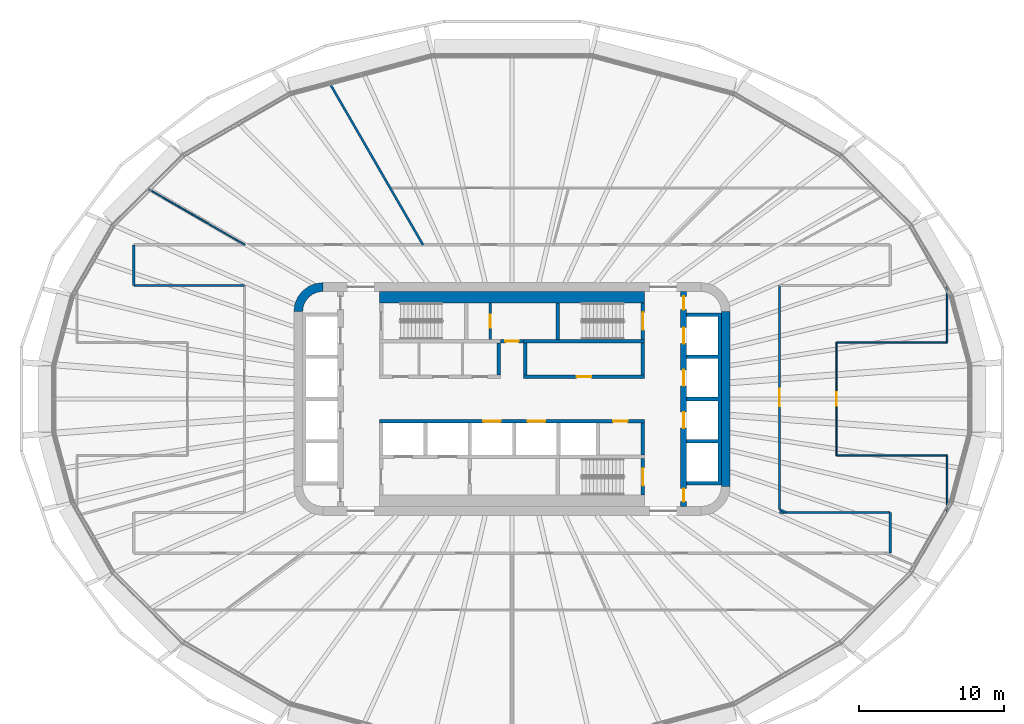
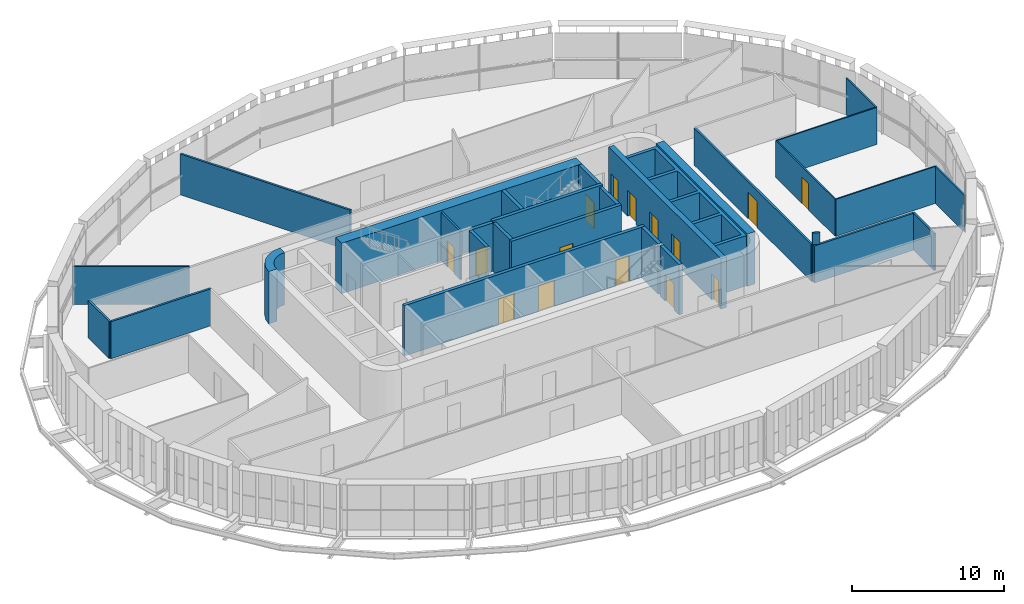
# One storey, part 16 of 25: 30 walls, 15 doors, 15 openings.
"""IFC4 building model written with IfcOpenShell, lengths in metres."""

from ifc_helpers import new_model, si_unit, direction, frame, frame_2d, origin, place, context, subcontext, project, spatial, polyline, rectangle, outline, extrude, material, layer, layer_set, type_object, element, fill, save


model = new_model("IFC4")

# Units and contexts
model_context = context("Model", 3, precision=1e-05, world=origin(), true_north=direction((0.0, 1.0)))
body_context = subcontext(model_context, "Body", "Model", "MODEL_VIEW")
ifc_project = project(units=[si_unit("LENGTHUNIT", "METRE"), si_unit("AREAUNIT", "SQUARE_METRE"), si_unit("VOLUMEUNIT", "CUBIC_METRE"), si_unit("PLANEANGLEUNIT", "RADIAN"), si_unit("MASSUNIT", "GRAM", prefix="KILO")], contexts=[model_context])

# Site, building, storey
site_placement = place(None, origin())
site = spatial("IfcSite", under=ifc_project, at=site_placement, CompositionType="ELEMENT")
building_placement = place(site_placement, origin())
building = spatial("IfcBuilding", under=site, at=building_placement, Name="Sahrelin Media Tower", CompositionType="ELEMENT")
storey_placement = place(building_placement, frame((0.0, 0.0, 139.800048828125)))
storey = spatial("IfcBuildingStorey", under=building, at=storey_placement, Name="L28", CompositionType="ELEMENT", Elevation=139.800048828125)

# Walls
ifc_material_1 = material(Name="Concrete C60/75", Category="concrete")
ifc_layer_1 = layer(ifc_material_1, 0.60009765625)
ifc_layer_set_1 = layer_set([ifc_layer_1], Name="Core wall 600")
wall_type_1 = type_object("IfcWallType", Name="Core wall 600", PredefinedType="SHEAR", material=ifc_layer_set_1)
wall_1_placement = place(storey_placement, frame((14.699951171875, -6.0, 0.0), z_axis=(0.0, 0.0, 1.0), x_axis=(0.0, 1.0, 0.0)))
element("IfcWall", 1, at=wall_1_placement, inside=storey, type_object=wall_type_1, Name="Core wall E L28", PredefinedType="SHEAR", context=body_context, shape_type="SweptSolid", body=[
    extrude(rectangle(XDim=12.0, YDim=0.60009765625, at=frame_2d((6.0, 0.0))), origin(), (0.0, 0.0, 1.0), 4.199951171875),
])
placement = place(storey_placement, origin())
element("IfcWall", 2, at=placement, inside=storey, type_object=wall_type_1, Name="Core wall corner NW L28", PredefinedType="SHEAR", context=body_context, shape_type="SweptSolid", body=[
    extrude(outline(polyline([(-15.0, 6.0), (-14.394775390625, 6.0), (-14.347412109375, 6.361083984375), (-14.2080078125, 6.697509765625), (-13.986328125, 6.986328125), (-13.697509765625, 7.2080078125), (-13.361083984375, 7.347412109375), (-13.0, 7.394775390625), (-13.0, 8.0), (-13.517578125, 7.931884765625), (-14.0, 7.732177734375), (-14.414306640625, 7.414306640625), (-14.732177734375, 7.0), (-14.931884765625, 6.517578125), (-15.0, 6.0)])), origin(), (0.0, 0.0, 1.0), 4.199951171875),
])

# Wall, opening, door
ifc_material_2 = material(Name="Fire-rated gypsum board partition")
ifc_layer_2 = layer(ifc_material_2, 0.25)
ifc_layer_set_2 = layer_set([ifc_layer_2], Name="Fire-rated lobby wall 250")
wall_type_2 = type_object("IfcWallType", Name="Fire-rated lobby wall 250", PredefinedType="PARTITIONING", material=ifc_layer_set_2)
wall_3_placement = place(storey_placement, frame((-0.77490234375, 3.97509765625, 0.0), z_axis=(0.0, 0.0, 1.0), x_axis=(1.0, 0.0, 0.0)))
wall_3 = element("IfcWall", 3, at=wall_3_placement, inside=storey, type_object=wall_type_2, Name="Core lobby wall", PredefinedType="PARTITIONING", context=body_context, shape_type="SweptSolid", body=[
    extrude(rectangle(XDim=1.5498046875, YDim=0.25, at=frame_2d((0.77490234375, 0.0))), origin(), (0.0, 0.0, 1.0), 3.89990234375),
])
opening_1_placement = place(wall_3_placement, frame((0.324951171875, 0.0, 0.0)))
opening_1 = element("IfcOpeningElement", 4, at=opening_1_placement, cuts=wall_3, Name="Opening L28-D06", PredefinedType="OPENING", context=body_context, shape_type="SweptSolid", body=[
    extrude(rectangle(XDim=0.89990234375, YDim=2.10009765625, at=frame_2d((0.449951171875, 1.050048828125))), frame((0.0, 0.125, 0.0), z_axis=(0.0, -1.0, 0.0), x_axis=(1.0, 0.0, 0.0)), (0.0, 0.0, 1.0), 0.25),
])
ifc_material_3 = material(Name="Steel fire door leaf", Category="steel")
door_type_1 = type_object("IfcDoorType", Name="Riser door 900 x 2100 EI 120", OperationType="NOTDEFINED", PredefinedType="DOOR", material=ifc_material_3)
door_1_placement = place(opening_1_placement, origin())
door_1 = element("IfcDoor", 5, at=door_1_placement, inside=storey, type_object=door_type_1, Name="Core room door", OperationType="SINGLE_SWING_LEFT", OverallHeight=2.10009765625, OverallWidth=0.89990234375, PredefinedType="DOOR", context=body_context, shape_type="SweptSolid", body=[
    extrude(rectangle(XDim=0.89990234375, YDim=2.10009765625, at=frame_2d((0.449951171875, 1.050048828125))), frame((0.0, 0.02490234375, 0.0), z_axis=(0.0, -1.0, 0.0), x_axis=(1.0, 0.0, 0.0)), (0.0, 0.0, 1.0), 0.050048828125),
])
fill(opening_1, door_1)

wall_4_placement = place(storey_placement, frame((0.77490234375, 1.52490234375, 0.0), z_axis=(0.0, 0.0, 1.0), x_axis=(1.0, 0.0, 0.0)))
wall_4 = element("IfcWall", 6, at=wall_4_placement, inside=storey, type_object=wall_type_2, Name="Core lobby wall", PredefinedType="PARTITIONING", context=body_context, shape_type="SweptSolid", body=[
    extrude(rectangle(XDim=8.35009765625, YDim=0.25, at=frame_2d((4.175048828125, 0.0))), origin(), (0.0, 0.0, 1.0), 3.89990234375),
])
opening_2_placement = place(wall_4_placement, frame((3.675048828125, 0.0, 0.0)))
opening_2 = element("IfcOpeningElement", 7, at=opening_2_placement, cuts=wall_4, Name="Opening L28-D11", PredefinedType="OPENING", context=body_context, shape_type="SweptSolid", body=[
    extrude(rectangle(XDim=1.0, YDim=2.10009765625, at=frame_2d((0.5, 1.050048828125))), frame((0.0, 0.125, 0.0), z_axis=(0.0, -1.0, 0.0), x_axis=(1.0, 0.0, 0.0)), (0.0, 0.0, 1.0), 0.25),
])
door_type_2 = type_object("IfcDoorType", Name="Fire door 1000 x 2100 EI 60", OperationType="NOTDEFINED", PredefinedType="DOOR", material=ifc_material_3)
door_2_placement = place(opening_2_placement, origin())
door_2 = element("IfcDoor", 8, at=door_2_placement, inside=storey, type_object=door_type_2, Name="Core room door", OperationType="SINGLE_SWING_LEFT", OverallHeight=2.10009765625, OverallWidth=1.0, PredefinedType="DOOR", context=body_context, shape_type="SweptSolid", body=[
    extrude(rectangle(XDim=1.0, YDim=2.10009765625, at=frame_2d((0.5, 1.050048828125))), frame((0.0, 0.02490234375, 0.0), z_axis=(0.0, -1.0, 0.0), x_axis=(1.0, 0.0, 0.0)), (0.0, 0.0, 1.0), 0.050048828125),
])
fill(opening_2, door_2)

# Walls
for number, where, z_axis, x_axis, name in (
    (9, (-0.89990234375, 1.64990234375, 0.0), (0.0, 0.0, 1.0), (0.0, 1.0, 0.0), "Core lobby wall"),
    (10, (9.0, 1.64990234375, 0.0), (0.0, 0.0, 1.0), (0.0, 1.0, 0.0), "Core lobby wall"),
    (11, (0.89990234375, 1.64990234375, 0.0), (0.0, 0.0, 1.0), (0.0, 1.0, 0.0), "Core lobby wall"),
):
    element("IfcWall", number, at=place(storey_placement, frame(where, z_axis=z_axis, x_axis=x_axis)), inside=storey, type_object=wall_type_2, Name=name, PredefinedType="PARTITIONING", context=body_context, shape_type="SweptSolid", body=[
        extrude(rectangle(XDim=2.2001953125, YDim=0.25, at=frame_2d((1.10009765625, 0.0))), origin(), (0.0, 0.0, 1.0), 3.89990234375),
    ])

# Wall, opening, door
ifc_layer_3 = layer(ifc_material_2, 0.14990234375)
ifc_layer_set_3 = layer_set([ifc_layer_3], Name="Fire-rated partition 150")
wall_type_3 = type_object("IfcWallType", Name="Fire-rated partition 150", PredefinedType="PARTITIONING", material=ifc_layer_set_3)
wall_5_placement = place(storey_placement, frame((-1.5, 4.10009765625, 0.0), z_axis=(0.0, 0.0, 1.0), x_axis=(0.0, 1.0, 0.0)))
wall_5 = element("IfcWall", 12, at=wall_5_placement, inside=storey, type_object=wall_type_3, Name="Core room fire partition", PredefinedType="PARTITIONING", context=body_context, shape_type="SweptSolid", body=[
    extrude(rectangle(XDim=2.5, YDim=0.14990234375, at=frame_2d((1.25, 0.0))), origin(), (0.0, 0.0, 1.0), 3.89990234375),
])
opening_3_placement = place(wall_5_placement, frame((0.800048828125, 0.0, 0.0)))
opening_3 = element("IfcOpeningElement", 13, at=opening_3_placement, cuts=wall_5, Name="Opening L28-D07", PredefinedType="OPENING", context=body_context, shape_type="SweptSolid", body=[
    extrude(rectangle(XDim=0.89990234375, YDim=2.10009765625, at=frame_2d((0.449951171875, 1.050048828125))), frame((0.0, 0.074951171875, 0.0), z_axis=(0.0, -1.0, 0.0), x_axis=(1.0, 0.0, 0.0)), (0.0, 0.0, 1.0), 0.14990234375),
])
door_type_3 = type_object("IfcDoorType", Name="Fire door 900 x 2100 EI 60", OperationType="NOTDEFINED", PredefinedType="DOOR", material=ifc_material_3)
door_3_placement = place(opening_3_placement, origin())
door_3 = element("IfcDoor", 14, at=door_3_placement, inside=storey, type_object=door_type_3, Name="Core room door", OperationType="SINGLE_SWING_LEFT", OverallHeight=2.10009765625, OverallWidth=0.89990234375, PredefinedType="DOOR", context=body_context, shape_type="SweptSolid", body=[
    extrude(rectangle(XDim=0.89990234375, YDim=2.10009765625, at=frame_2d((0.449951171875, 1.050048828125))), frame((0.0, 0.02490234375, 0.0), z_axis=(0.0, -1.0, 0.0), x_axis=(1.0, 0.0, 0.0)), (0.0, 0.0, 1.0), 0.050048828125),
])
fill(opening_3, door_3)

# Walls
wall_6_placement = place(storey_placement, frame((-12.5810546875, 21.7900390625, 0.0), z_axis=(0.0, 0.0, 1.0), x_axis=(0.500038653944, -0.866003085769, 0.0)))
element("IfcWall", 15, at=wall_6_placement, inside=storey, type_object=wall_type_3, Name="Wall", PredefinedType="PARTITIONING", context=body_context, shape_type="SweptSolid", body=[
    extrude(rectangle(XDim=12.92138671875, YDim=0.14990234375, at=frame_2d((6.460693359375, 0.0))), origin(), (0.0, 0.0, 1.0), 3.27734375),
])
wall_7_placement = place(storey_placement, frame((18.39990234375, -7.60791015625, 0.0), z_axis=(0.0, 0.0, 1.0), x_axis=(0.923666464005, -0.383197420755, 0.0)))
element("IfcWall", 16, at=wall_7_placement, inside=storey, type_object=wall_type_3, Name="Wall", PredefinedType="PARTITIONING", context=body_context, shape_type="SweptSolid", body=[
    extrude(rectangle(XDim=0.50146484375, YDim=0.14990234375, at=frame_2d((0.250732421875, 0.0))), origin(), (0.0, 0.0, 1.0), 3.89990234375),
])
for number, where, z_axis, x_axis, name in (
    (17, (18.39990234375, -7.800048828125, 0.0), (0.0, 0.0, 1.0), (1.0, 0.0, 0.0), "Wall"),
    (18, (-26.0, 7.800048828125, 0.0), (0.0, 0.0, 1.0), (1.0, 0.0, 0.0), "Wall"),
):
    element("IfcWall", number, at=place(storey_placement, frame(where, z_axis=z_axis, x_axis=x_axis)), inside=storey, type_object=wall_type_3, Name=name, PredefinedType="PARTITIONING", context=body_context, shape_type="SweptSolid", body=[
        extrude(rectangle(XDim=7.60009765625, YDim=0.14990234375, at=frame_2d((3.800048828125, 0.0))), origin(), (0.0, 0.0, 1.0), 2.97705078125),
    ])
wall_8_placement = place(storey_placement, frame((26.0, -10.574951171875, 0.0), z_axis=(0.0, 0.0, 1.0), x_axis=(0.0, 1.0, 0.0)))
element("IfcWall", 19, at=wall_8_placement, inside=storey, type_object=wall_type_3, Name="Wall", PredefinedType="PARTITIONING", context=body_context, shape_type="SweptSolid", body=[
    extrude(rectangle(XDim=2.77490234375, YDim=0.14990234375, at=frame_2d((1.387451171875, 0.0))), origin(), (0.0, 0.0, 1.0), 2.97705078125),
])

# Wall, opening, door
wall_9_placement = place(storey_placement, frame((18.39990234375, -7.60791015625, 0.0), z_axis=(0.0, 0.0, 1.0), x_axis=(0.0, 1.0, 0.0)))
wall_9 = element("IfcWall", 20, at=wall_9_placement, inside=storey, type_object=wall_type_3, Name="Wall", PredefinedType="PARTITIONING", context=body_context, shape_type="SweptSolid", body=[
    extrude(rectangle(XDim=15.407958984375, YDim=0.14990234375, at=frame_2d((7.7041015625, 0.0))), origin(), (0.0, 0.0, 1.0), 2.96826171875),
])
opening_4_placement = place(wall_9_placement, frame((7.10400390625, 0.0, 0.0)))
opening_4 = element("IfcOpeningElement", 21, at=opening_4_placement, cuts=wall_9, Name="Opening L28-D22", PredefinedType="OPENING", context=body_context, shape_type="SweptSolid", body=[
    extrude(rectangle(XDim=1.199951171875, YDim=2.10009765625, at=frame_2d((0.60009765625, 1.050048828125))), frame((0.0, 0.074951171875, 0.0), z_axis=(0.0, -1.0, 0.0), x_axis=(1.0, 0.0, 0.0)), (0.0, 0.0, 1.0), 0.14990234375),
])
door_type_4 = type_object("IfcDoorType", Name="Service double door 1200 x 2100 EI 60", OperationType="DOUBLE_DOOR_SINGLE_SWING", PredefinedType="DOOR", material=ifc_material_3)
door_4_placement = place(opening_4_placement, origin())
door_4 = element("IfcDoor", 22, at=door_4_placement, inside=storey, type_object=door_type_4, Name="Service double door", OperationType="DOUBLE_DOOR_SINGLE_SWING", OverallHeight=2.10009765625, OverallWidth=1.199951171875, PredefinedType="DOOR", context=body_context, shape_type="SweptSolid", body=[
    extrude(rectangle(XDim=1.199951171875, YDim=2.10009765625, at=frame_2d((0.60009765625, 1.050048828125))), frame((0.0, 0.02490234375, 0.0), z_axis=(0.0, -1.0, 0.0), x_axis=(1.0, 0.0, 0.0)), (0.0, 0.0, 1.0), 0.050048828125),
])
fill(opening_4, door_4)

# Wall
wall_10_placement = place(storey_placement, frame((-26.0, 7.800048828125, 0.0), z_axis=(0.0, 0.0, 1.0), x_axis=(0.0, 1.0, 0.0)))
element("IfcWall", 23, at=wall_10_placement, inside=storey, type_object=wall_type_3, Name="Wall", PredefinedType="PARTITIONING", context=body_context, shape_type="SweptSolid", body=[
    extrude(rectangle(XDim=2.77490234375, YDim=0.14990234375, at=frame_2d((1.387451171875, 0.0))), origin(), (0.0, 0.0, 1.0), 2.97705078125),
])

# Wall, openings, doors
ifc_layer_4 = layer(ifc_material_1, 0.25)
ifc_layer_set_4 = layer_set([ifc_layer_4], Name="Lift shaft wall 250")
wall_type_4 = type_object("IfcWallType", Name="Lift shaft wall 250", PredefinedType="SOLIDWALL", material=ifc_layer_set_4)
wall_11_placement = place(storey_placement, frame((-9.125, -1.52490234375, 0.0), z_axis=(0.0, 0.0, 1.0), x_axis=(1.0, 0.0, 0.0)))
wall_11 = element("IfcWall", 24, at=wall_11_placement, inside=storey, type_object=wall_type_4, Name="Lift shaft wall", PredefinedType="SOLIDWALL", context=body_context, shape_type="SweptSolid", body=[
    extrude(rectangle(XDim=18.25, YDim=0.25, at=frame_2d((9.125, 0.0))), origin(), (0.0, 0.0, 1.0), 4.050048828125),
])
opening_5_placement = place(wall_11_placement, frame((7.14990234375, 0.0, 0.0)))
opening_5 = element("IfcOpeningElement", 25, at=opening_5_placement, cuts=wall_11, Name="Opening L28-LD-SV1", PredefinedType="OPENING", context=body_context, shape_type="SweptSolid", body=[
    extrude(rectangle(XDim=1.199951171875, YDim=2.10009765625, at=frame_2d((0.60009765625, 1.050048828125))), frame((0.0, 0.125, 0.0), z_axis=(0.0, -1.0, 0.0), x_axis=(1.0, 0.0, 0.0)), (0.0, 0.0, 1.0), 0.25),
])
opening_6_placement = place(wall_11_placement, frame((10.199951171875, 0.0, 0.0)))
opening_6 = element("IfcOpeningElement", 26, at=opening_6_placement, cuts=wall_11, Name="Opening L28-LD-SV2", PredefinedType="OPENING", context=body_context, shape_type="SweptSolid", body=[
    extrude(rectangle(XDim=1.199951171875, YDim=2.10009765625, at=frame_2d((0.60009765625, 1.050048828125))), frame((0.0, 0.125, 0.0), z_axis=(0.0, -1.0, 0.0), x_axis=(1.0, 0.0, 0.0)), (0.0, 0.0, 1.0), 0.25),
])
opening_7_placement = place(wall_11_placement, frame((16.074951171875, 0.0, 0.0)))
opening_7 = element("IfcOpeningElement", 27, at=opening_7_placement, cuts=wall_11, Name="Opening L28-D12", PredefinedType="OPENING", context=body_context, shape_type="SweptSolid", body=[
    extrude(rectangle(XDim=1.0, YDim=2.10009765625, at=frame_2d((0.5, 1.050048828125))), frame((0.0, 0.125, 0.0), z_axis=(0.0, -1.0, 0.0), x_axis=(1.0, 0.0, 0.0)), (0.0, 0.0, 1.0), 0.25),
])
door_5_placement = place(opening_7_placement, origin())
door_5 = element("IfcDoor", 28, at=door_5_placement, inside=storey, type_object=door_type_2, Name="Core room door", OperationType="SINGLE_SWING_RIGHT", OverallHeight=2.10009765625, OverallWidth=1.0, PredefinedType="DOOR", context=body_context, shape_type="SweptSolid", body=[
    extrude(rectangle(XDim=1.0, YDim=2.10009765625, at=frame_2d((0.5, 1.050048828125))), frame((0.0, 0.02490234375, 0.0), z_axis=(0.0, -1.0, 0.0), x_axis=(1.0, 0.0, 0.0)), (0.0, 0.0, 1.0), 0.050048828125),
])
fill(opening_7, door_5)
ifc_material_4 = material(Name="Stainless steel", Category="steel")
door_type_5 = type_object("IfcDoorType", Name="Lift landing door 1200 x 2100 EI 120", OperationType="DOUBLE_DOOR_SLIDING", PredefinedType="DOOR", material=ifc_material_4)
door_6_placement = place(opening_5_placement, origin())
door_6 = element("IfcDoor", 29, at=door_6_placement, inside=storey, type_object=door_type_5, Name="Lift landing door SV1", OperationType="DOUBLE_DOOR_SLIDING", OverallHeight=2.10009765625, OverallWidth=1.199951171875, PredefinedType="DOOR", context=body_context, shape_type="SweptSolid", body=[
    extrude(rectangle(XDim=1.199951171875, YDim=2.10009765625, at=frame_2d((0.60009765625, 1.050048828125))), frame((0.0, 0.02490234375, 0.0), z_axis=(0.0, -1.0, 0.0), x_axis=(1.0, 0.0, 0.0)), (0.0, 0.0, 1.0), 0.050048828125),
])
fill(opening_5, door_6)
door_7_placement = place(opening_6_placement, origin())
door_7 = element("IfcDoor", 30, at=door_7_placement, inside=storey, type_object=door_type_5, Name="Lift landing door SV2", OperationType="DOUBLE_DOOR_SLIDING", OverallHeight=2.10009765625, OverallWidth=1.199951171875, PredefinedType="DOOR", context=body_context, shape_type="SweptSolid", body=[
    extrude(rectangle(XDim=1.199951171875, YDim=2.10009765625, at=frame_2d((0.60009765625, 1.050048828125))), frame((0.0, 0.02490234375, 0.0), z_axis=(0.0, -1.0, 0.0), x_axis=(1.0, 0.0, 0.0)), (0.0, 0.0, 1.0), 0.050048828125),
])
fill(opening_6, door_7)

# Walls
wall_12_placement = place(storey_placement, frame((9.0, -3.85009765625, 0.0), z_axis=(0.0, 0.0, 1.0), x_axis=(0.0, 1.0, 0.0)))
element("IfcWall", 31, at=wall_12_placement, inside=storey, type_object=wall_type_4, Name="Lift shaft wall", PredefinedType="SOLIDWALL", context=body_context, shape_type="SweptSolid", body=[
    extrude(rectangle(XDim=2.2001953125, YDim=0.25, at=frame_2d((1.10009765625, 0.0))), origin(), (0.0, 0.0, 1.0), 4.050048828125),
])
element("IfcWall", 32, at=placement, inside=storey, type_object=wall_type_4, Name="Lift shaft wall", PredefinedType="SOLIDWALL", context=body_context, shape_type="SweptSolid", body=[
    extrude(outline(polyline([(12.0, -5.675048828125), (12.0, -5.925048828125), (14.14990234375, -5.925048828125), (14.39990234375, -5.925048828125), (14.39990234375, -5.675048828125), (14.39990234375, -3.02490234375), (14.39990234375, -2.77490234375), (14.39990234375, -0.125), (14.39990234375, 0.125), (14.39990234375, 2.77490234375), (14.39990234375, 3.02490234375), (14.39990234375, 5.675048828125), (14.39990234375, 5.925048828125), (14.14990234375, 5.925048828125), (12.0, 5.925048828125), (12.0, 5.675048828125), (14.14990234375, 5.675048828125), (14.14990234375, 3.02490234375), (12.0, 3.02490234375), (12.0, 2.77490234375), (14.14990234375, 2.77490234375), (14.14990234375, 0.125), (12.0, 0.125), (12.0, -0.125), (14.14990234375, -0.125), (14.14990234375, -2.77490234375), (12.0, -2.77490234375), (12.0, -3.02490234375), (14.14990234375, -3.02490234375), (14.14990234375, -5.675048828125), (12.0, -5.675048828125)])), origin(), (0.0, 0.0, 1.0), 4.050048828125),
])

# Wall, openings, doors
ifc_layer_5 = layer(ifc_material_1, 0.39990234375)
ifc_layer_set_5 = layer_set([ifc_layer_5], Name="Lift shaft wall 400")
wall_type_5 = type_object("IfcWallType", Name="Lift shaft wall 400", PredefinedType="SOLIDWALL", material=ifc_layer_set_5)
wall_14_placement = place(storey_placement, frame((11.800048828125, -7.39990234375, 0.0), z_axis=(0.0, 0.0, 1.0), x_axis=(0.0, 1.0, 0.0)))
wall_14 = element("IfcWall", 33, at=wall_14_placement, inside=storey, type_object=wall_type_5, Name="Lift shaft wall", PredefinedType="SOLIDWALL", context=body_context, shape_type="SweptSolid", body=[
    extrude(rectangle(XDim=14.7998046875, YDim=0.39990234375, at=frame_2d((7.39990234375, 0.0))), origin(), (0.0, 0.0, 1.0), 4.050048828125),
])
opening_8_placement = place(wall_14_placement, frame((11.199951171875, 0.0, 0.0)))
opening_8 = element("IfcOpeningElement", 34, at=opening_8_placement, cuts=wall_14, Name="Opening L28-LD-LR4", PredefinedType="OPENING", context=body_context, shape_type="SweptSolid", body=[
    extrude(rectangle(XDim=1.10009765625, YDim=2.10009765625, at=frame_2d((0.550048828125, 1.050048828125))), frame((0.0, 0.199951171875, 0.0), z_axis=(0.0, -1.0, 0.0), x_axis=(1.0, 0.0, 0.0)), (0.0, 0.0, 1.0), 0.39990234375),
])
opening_9_placement = place(wall_14_placement, frame((8.300048828125, 0.0, 0.0)))
opening_9 = element("IfcOpeningElement", 35, at=opening_9_placement, cuts=wall_14, Name="Opening L28-LD-LR5", PredefinedType="OPENING", context=body_context, shape_type="SweptSolid", body=[
    extrude(rectangle(XDim=1.10009765625, YDim=2.10009765625, at=frame_2d((0.550048828125, 1.050048828125))), frame((0.0, 0.199951171875, 0.0), z_axis=(0.0, -1.0, 0.0), x_axis=(1.0, 0.0, 0.0)), (0.0, 0.0, 1.0), 0.39990234375),
])
opening_10_placement = place(wall_14_placement, frame((5.39990234375, 0.0, 0.0)))
opening_10 = element("IfcOpeningElement", 36, at=opening_10_placement, cuts=wall_14, Name="Opening L28-LD-LR6", PredefinedType="OPENING", context=body_context, shape_type="SweptSolid", body=[
    extrude(rectangle(XDim=1.10009765625, YDim=2.10009765625, at=frame_2d((0.550048828125, 1.050048828125))), frame((0.0, 0.199951171875, 0.0), z_axis=(0.0, -1.0, 0.0), x_axis=(1.0, 0.0, 0.0)), (0.0, 0.0, 1.0), 0.39990234375),
])
opening_11_placement = place(wall_14_placement, frame((13.552490234375, 0.0, 0.0)))
opening_11 = element("IfcOpeningElement", 37, at=opening_11_placement, cuts=wall_14, Name="Opening L28-D15", PredefinedType="OPENING", context=body_context, shape_type="SweptSolid", body=[
    extrude(rectangle(XDim=0.89990234375, YDim=2.10009765625, at=frame_2d((0.449951171875, 1.050048828125))), frame((0.0, 0.199951171875, 0.0), z_axis=(0.0, -1.0, 0.0), x_axis=(1.0, 0.0, 0.0)), (0.0, 0.0, 1.0), 0.39990234375),
])
opening_12_placement = place(wall_14_placement, frame((0.347412109375, 0.0, 0.0)))
opening_12 = element("IfcOpeningElement", 38, at=opening_12_placement, cuts=wall_14, Name="Opening L28-D16", PredefinedType="OPENING", context=body_context, shape_type="SweptSolid", body=[
    extrude(rectangle(XDim=0.89990234375, YDim=2.10009765625, at=frame_2d((0.449951171875, 1.050048828125))), frame((0.0, 0.199951171875, 0.0), z_axis=(0.0, -1.0, 0.0), x_axis=(1.0, 0.0, 0.0)), (0.0, 0.0, 1.0), 0.39990234375),
])
door_type_6 = type_object("IfcDoorType", Name="Lift landing door 1100 x 2100 EI 120", OperationType="DOUBLE_DOOR_SLIDING", PredefinedType="DOOR", material=ifc_material_4)
door_8_placement = place(opening_8_placement, origin())
door_8 = element("IfcDoor", 39, at=door_8_placement, inside=storey, type_object=door_type_6, Name="Lift landing door LR4", OperationType="DOUBLE_DOOR_SLIDING", OverallHeight=2.10009765625, OverallWidth=1.10009765625, PredefinedType="DOOR", context=body_context, shape_type="SweptSolid", body=[
    extrude(rectangle(XDim=1.10009765625, YDim=2.10009765625, at=frame_2d((0.550048828125, 1.050048828125))), frame((0.0, 0.02490234375, 0.0), z_axis=(0.0, -1.0, 0.0), x_axis=(1.0, 0.0, 0.0)), (0.0, 0.0, 1.0), 0.050048828125),
])
fill(opening_8, door_8)
door_9_placement = place(opening_9_placement, origin())
door_9 = element("IfcDoor", 40, at=door_9_placement, inside=storey, type_object=door_type_6, Name="Lift landing door LR5", OperationType="DOUBLE_DOOR_SLIDING", OverallHeight=2.10009765625, OverallWidth=1.10009765625, PredefinedType="DOOR", context=body_context, shape_type="SweptSolid", body=[
    extrude(rectangle(XDim=1.10009765625, YDim=2.10009765625, at=frame_2d((0.550048828125, 1.050048828125))), frame((0.0, 0.02490234375, 0.0), z_axis=(0.0, -1.0, 0.0), x_axis=(1.0, 0.0, 0.0)), (0.0, 0.0, 1.0), 0.050048828125),
])
fill(opening_9, door_9)
door_10_placement = place(opening_10_placement, origin())
door_10 = element("IfcDoor", 41, at=door_10_placement, inside=storey, type_object=door_type_6, Name="Lift landing door LR6", OperationType="DOUBLE_DOOR_SLIDING", OverallHeight=2.10009765625, OverallWidth=1.10009765625, PredefinedType="DOOR", context=body_context, shape_type="SweptSolid", body=[
    extrude(rectangle(XDim=1.10009765625, YDim=2.10009765625, at=frame_2d((0.550048828125, 1.050048828125))), frame((0.0, 0.02490234375, 0.0), z_axis=(0.0, -1.0, 0.0), x_axis=(1.0, 0.0, 0.0)), (0.0, 0.0, 1.0), 0.050048828125),
])
fill(opening_10, door_10)
door_11_placement = place(opening_11_placement, origin())
door_11 = element("IfcDoor", 42, at=door_11_placement, inside=storey, type_object=door_type_1, Name="Riser door", OperationType="SINGLE_SWING_RIGHT", OverallHeight=2.10009765625, OverallWidth=0.89990234375, PredefinedType="DOOR", context=body_context, shape_type="SweptSolid", body=[
    extrude(rectangle(XDim=0.89990234375, YDim=2.10009765625, at=frame_2d((0.449951171875, 1.050048828125))), frame((0.0, 0.02490234375, 0.0), z_axis=(0.0, -1.0, 0.0), x_axis=(1.0, 0.0, 0.0)), (0.0, 0.0, 1.0), 0.050048828125),
])
fill(opening_11, door_11)
door_12_placement = place(opening_12_placement, origin())
door_12 = element("IfcDoor", 43, at=door_12_placement, inside=storey, type_object=door_type_1, Name="Riser door", OperationType="SINGLE_SWING_RIGHT", OverallHeight=2.10009765625, OverallWidth=0.89990234375, PredefinedType="DOOR", context=body_context, shape_type="SweptSolid", body=[
    extrude(rectangle(XDim=0.89990234375, YDim=2.10009765625, at=frame_2d((0.449951171875, 1.050048828125))), frame((0.0, 0.02490234375, 0.0), z_axis=(0.0, -1.0, 0.0), x_axis=(1.0, 0.0, 0.0)), (0.0, 0.0, 1.0), 0.050048828125),
])
fill(opening_12, door_12)

# Walls
ifc_material_5 = material(Name="Gypsum board partition")
ifc_layer_6 = layer(ifc_material_5, 0.10009765625)
ifc_layer_set_6 = layer_set([ifc_layer_6], Name="Partition 100")
wall_type_6 = type_object("IfcWallType", Name="Partition 100", PredefinedType="PARTITIONING", material=ifc_layer_set_6)
wall_15_placement = place(storey_placement, frame((-25.029052734375, 14.450927734375, 0.0), z_axis=(0.0, 0.0, 1.0), x_axis=(0.865996573404, -0.500049932359, 0.0)))
element("IfcWall", 44, at=wall_15_placement, inside=storey, type_object=wall_type_6, Name="Wall", PredefinedType="PARTITIONING", context=body_context, shape_type="SweptSolid", body=[
    extrude(rectangle(XDim=7.700927734375, YDim=0.10009765625, at=frame_2d((3.8505859375, 0.0))), origin(), (0.0, 0.0, 1.0), 3.044921875),
])
for number, where, z_axis, x_axis, name in (
    (45, (22.31005859375, -3.889892578125, 0.0), (0.0, 0.0, 1.0), (1.0, 0.0, 0.0), "Wall"),
    (46, (22.31005859375, 3.889892578125, 0.0), (0.0, 0.0, 1.0), (1.0, 0.0, 0.0), "Wall"),
):
    element("IfcWall", number, at=place(storey_placement, frame(where, z_axis=z_axis, x_axis=x_axis)), inside=storey, type_object=wall_type_6, Name=name, PredefinedType="PARTITIONING", context=body_context, shape_type="SweptSolid", body=[
        extrude(rectangle(XDim=7.599853515625, YDim=0.10009765625, at=frame_2d((3.7998046875, 0.0))), origin(), (0.0, 0.0, 1.0), 2.96826171875),
    ])
for number, where, z_axis, x_axis, name in (
    (47, (29.909912109375, -7.802978515625, 0.0), (0.0, 0.0, 1.0), (0.0, 1.0, 0.0), "Wall"),
    (48, (29.909912109375, 3.889892578125, 0.0), (0.0, 0.0, 1.0), (0.0, 1.0, 0.0), "Wall"),
):
    element("IfcWall", number, at=place(storey_placement, frame(where, z_axis=z_axis, x_axis=x_axis)), inside=storey, type_object=wall_type_6, Name=name, PredefinedType="PARTITIONING", context=body_context, shape_type="SweptSolid", body=[
        extrude(rectangle(XDim=3.9130859375, YDim=0.10009765625, at=frame_2d((1.95654296875, 0.0))), origin(), (0.0, 0.0, 1.0), 2.96826171875),
    ])

# Wall, opening, door
wall_16_placement = place(storey_placement, frame((22.31005859375, -3.889892578125, 0.0), z_axis=(0.0, 0.0, 1.0), x_axis=(0.0, 1.0, 0.0)))
wall_16 = element("IfcWall", 49, at=wall_16_placement, inside=storey, type_object=wall_type_6, Name="Wall", PredefinedType="PARTITIONING", context=body_context, shape_type="SweptSolid", body=[
    extrude(rectangle(XDim=7.77978515625, YDim=0.10009765625, at=frame_2d((3.889892578125, 0.0))), origin(), (0.0, 0.0, 1.0), 2.96826171875),
])
opening_13_placement = place(wall_16_placement, frame((3.43994140625, 0.0, 0.0)))
opening_13 = element("IfcOpeningElement", 50, at=opening_13_placement, cuts=wall_16, Name="Opening L28-D25", PredefinedType="OPENING", context=body_context, shape_type="SweptSolid", body=[
    extrude(rectangle(XDim=0.89990234375, YDim=2.10009765625, at=frame_2d((0.449951171875, 1.050048828125))), frame((0.0, 0.050048828125, 0.0), z_axis=(0.0, -1.0, 0.0), x_axis=(1.0, 0.0, 0.0)), (0.0, 0.0, 1.0), 0.10009765625),
])
ifc_material_6 = material(Name="Timber door leaf", Category="wood")
door_type_7 = type_object("IfcDoorType", Name="Single door 900 x 2100", OperationType="NOTDEFINED", PredefinedType="DOOR", material=ifc_material_6)
door_13_placement = place(opening_13_placement, origin())
door_13 = element("IfcDoor", 51, at=door_13_placement, inside=storey, type_object=door_type_7, Name="Single door", OperationType="SINGLE_SWING_LEFT", OverallHeight=2.10009765625, OverallWidth=0.89990234375, PredefinedType="DOOR", context=body_context, shape_type="SweptSolid", body=[
    extrude(rectangle(XDim=0.89990234375, YDim=2.10009765625, at=frame_2d((0.449951171875, 1.050048828125))), frame((0.0, 0.02490234375, 0.0), z_axis=(0.0, -1.0, 0.0), x_axis=(1.0, 0.0, 0.0)), (0.0, 0.0, 1.0), 0.050048828125),
])
fill(opening_13, door_13)

ifc_layer_7 = layer(ifc_material_1, 0.25)
ifc_layer_set_7 = layer_set([ifc_layer_7], Name="Stair enclosure wall 250")
wall_type_7 = type_object("IfcWallType", Name="Stair enclosure wall 250", PredefinedType="SOLIDWALL", material=ifc_layer_set_7)
wall_17_placement = place(storey_placement, frame((9.0, 4.10009765625, 0.0), z_axis=(0.0, 0.0, 1.0), x_axis=(0.0, 1.0, 0.0)))
wall_17 = element("IfcWall", 52, at=wall_17_placement, inside=storey, type_object=wall_type_7, Name="Stair enclosure wall", PredefinedType="SOLIDWALL", context=body_context, shape_type="SweptSolid", body=[
    extrude(rectangle(XDim=2.5, YDim=0.25, at=frame_2d((1.25, 0.0))), origin(), (0.0, 0.0, 1.0), 4.050048828125),
])
opening_14_placement = place(wall_17_placement, frame((0.64990234375, 0.0, 0.0)))
opening_14 = element("IfcOpeningElement", 53, at=opening_14_placement, cuts=wall_17, Name="Opening L28-D02", PredefinedType="OPENING", context=body_context, shape_type="SweptSolid", body=[
    extrude(rectangle(XDim=1.199951171875, YDim=2.10009765625, at=frame_2d((0.60009765625, 1.050048828125))), frame((0.0, 0.125, 0.0), z_axis=(0.0, -1.0, 0.0), x_axis=(1.0, 0.0, 0.0)), (0.0, 0.0, 1.0), 0.25),
])
door_type_8 = type_object("IfcDoorType", Name="Stair door 1200 x 2100 EI 120", OperationType="NOTDEFINED", PredefinedType="DOOR", material=ifc_material_3)
door_14_placement = place(opening_14_placement, origin())
door_14 = element("IfcDoor", 54, at=door_14_placement, inside=storey, type_object=door_type_8, Name="Stair door ST3", OperationType="SINGLE_SWING_LEFT", OverallHeight=2.10009765625, OverallWidth=1.199951171875, PredefinedType="DOOR", context=body_context, shape_type="SweptSolid", body=[
    extrude(rectangle(XDim=1.199951171875, YDim=2.10009765625, at=frame_2d((0.60009765625, 1.050048828125))), frame((0.0, 0.02490234375, 0.0), z_axis=(0.0, -1.0, 0.0), x_axis=(1.0, 0.0, 0.0)), (0.0, 0.0, 1.0), 0.050048828125),
])
fill(opening_14, door_14)

wall_18_placement = place(storey_placement, frame((9.0, -6.60009765625, 0.0), z_axis=(0.0, 0.0, 1.0), x_axis=(0.0, 1.0, 0.0)))
wall_18 = element("IfcWall", 55, at=wall_18_placement, inside=storey, type_object=wall_type_7, Name="Stair enclosure wall", PredefinedType="SOLIDWALL", context=body_context, shape_type="SweptSolid", body=[
    extrude(rectangle(XDim=2.5, YDim=0.25, at=frame_2d((1.25, 0.0))), origin(), (0.0, 0.0, 1.0), 4.050048828125),
])
opening_15_placement = place(wall_18_placement, frame((0.64990234375, 0.0, 0.0)))
opening_15 = element("IfcOpeningElement", 56, at=opening_15_placement, cuts=wall_18, Name="Opening L28-D03", PredefinedType="OPENING", context=body_context, shape_type="SweptSolid", body=[
    extrude(rectangle(XDim=1.199951171875, YDim=2.10009765625, at=frame_2d((0.60009765625, 1.050048828125))), frame((0.0, 0.125, 0.0), z_axis=(0.0, -1.0, 0.0), x_axis=(1.0, 0.0, 0.0)), (0.0, 0.0, 1.0), 0.25),
])
door_15_placement = place(opening_15_placement, origin())
door_15 = element("IfcDoor", 57, at=door_15_placement, inside=storey, type_object=door_type_8, Name="Stair door ST2", OperationType="SINGLE_SWING_LEFT", OverallHeight=2.10009765625, OverallWidth=1.199951171875, PredefinedType="DOOR", context=body_context, shape_type="SweptSolid", body=[
    extrude(rectangle(XDim=1.199951171875, YDim=2.10009765625, at=frame_2d((0.60009765625, 1.050048828125))), frame((0.0, 0.02490234375, 0.0), z_axis=(0.0, -1.0, 0.0), x_axis=(1.0, 0.0, 0.0)), (0.0, 0.0, 1.0), 0.050048828125),
])
fill(opening_15, door_15)

# Walls
wall_19_placement = place(storey_placement, frame((3.14990234375, 4.10009765625, 0.0), z_axis=(0.0, 0.0, 1.0), x_axis=(0.0, 1.0, 0.0)))
element("IfcWall", 58, at=wall_19_placement, inside=storey, type_object=wall_type_7, Name="Stair enclosure wall", PredefinedType="SOLIDWALL", context=body_context, shape_type="SweptSolid", body=[
    extrude(rectangle(XDim=2.5, YDim=0.25, at=frame_2d((1.25, 0.0))), origin(), (0.0, 0.0, 1.0), 4.050048828125),
])
wall_20_placement = place(storey_placement, frame((0.77490234375, 3.97509765625, 0.0), z_axis=(0.0, 0.0, 1.0), x_axis=(1.0, 0.0, 0.0)))
element("IfcWall", 59, at=wall_20_placement, inside=storey, type_object=wall_type_7, Name="Stair enclosure wall", PredefinedType="SOLIDWALL", context=body_context, shape_type="SweptSolid", body=[
    extrude(rectangle(XDim=8.35009765625, YDim=0.25, at=frame_2d((4.175048828125, 0.0))), origin(), (0.0, 0.0, 1.0), 4.050048828125),
])
ifc_layer_8 = layer(ifc_material_1, 0.800048828125)
ifc_layer_set_8 = layer_set([ifc_layer_8], Name="Stair enclosure wall 800")
wall_type_8 = type_object("IfcWallType", Name="Stair enclosure wall 800", PredefinedType="SOLIDWALL", material=ifc_layer_set_8)
wall_21_placement = place(storey_placement, frame((-9.125, 7.0, 0.0), z_axis=(0.0, 0.0, 1.0), x_axis=(1.0, 0.0, 0.0)))
element("IfcWall", 60, at=wall_21_placement, inside=storey, type_object=wall_type_8, Name="Stair enclosure wall", PredefinedType="SOLIDWALL", context=body_context, shape_type="SweptSolid", body=[
    extrude(rectangle(XDim=18.25, YDim=0.800048828125, at=frame_2d((9.125, 0.0))), origin(), (0.0, 0.0, 1.0), 4.050048828125),
])

save(model, "model.ifc")
